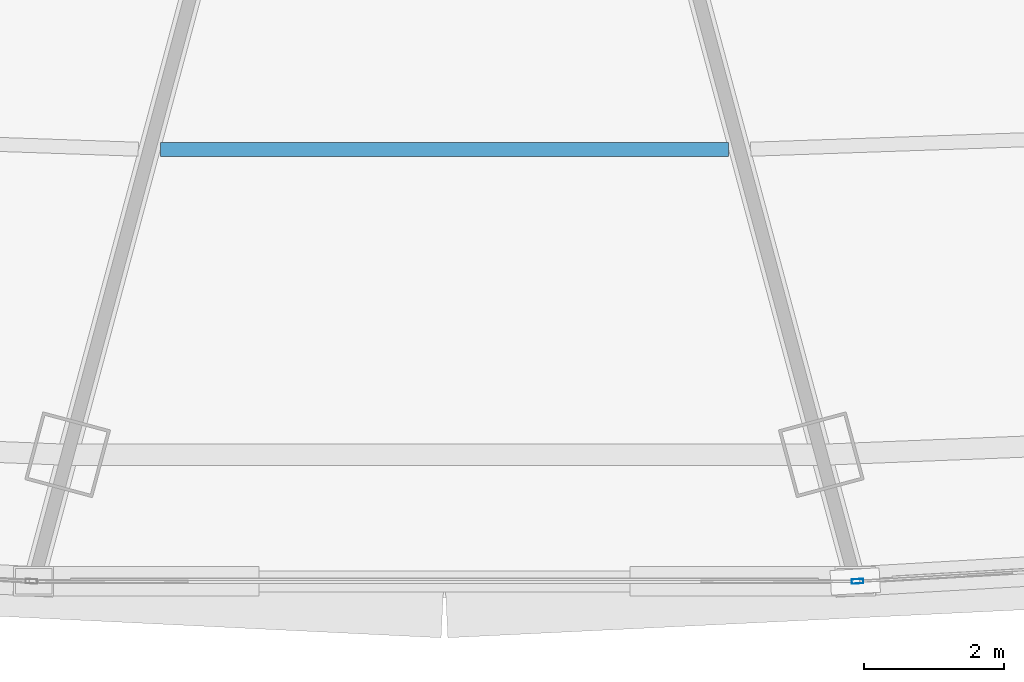
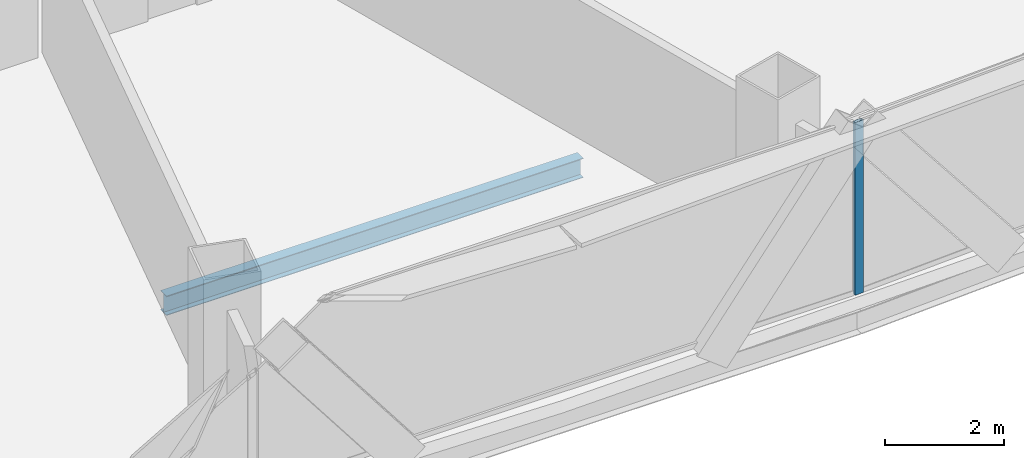
# One storey, part 10 of 39: 1 beam, 1 member, 1 element without a shape of its own.
"""IFC4 building model written with IfcOpenShell, lengths in metres."""

from ifc_helpers import new_model, si_unit, direction, frame, origin, origin_2d, place, context, subcontext, project, spatial, hollow_rectangle, i_section, extrude, source, transform, mapped, material, layer, layer_set, material_profile, profile_set, type_object, element, aggregate, save


model = new_model("IFC4")

# Units and contexts
model_context = context("Model", 3, precision=1e-05, world=origin(), true_north=direction((0.0, 1.0)))
body_context = subcontext(model_context, "Body", "Model", "MODEL_VIEW")
ifc_project = project(units=[si_unit("LENGTHUNIT", "METRE"), si_unit("AREAUNIT", "SQUARE_METRE"), si_unit("VOLUMEUNIT", "CUBIC_METRE"), si_unit("PLANEANGLEUNIT", "RADIAN"), si_unit("MASSUNIT", "GRAM", prefix="KILO"), si_unit("THERMODYNAMICTEMPERATUREUNIT", "KELVIN"), si_unit("POWERUNIT", "WATT")], contexts=[model_context])

# Site, building, storey
site_placement = place(None, origin())
site = spatial("IfcSite", under=ifc_project, at=site_placement, CompositionType="ELEMENT")
building_placement = place(site_placement, origin())
building = spatial("IfcBuilding", under=site, at=building_placement, Name="Yunzhuo Pagoda Commons", CompositionType="ELEMENT")
storey_placement = place(building_placement, frame((0.0, 0.0, 92.580078125)))
storey = spatial("IfcBuildingStorey", under=building, at=storey_placement, Name="L23", CompositionType="ELEMENT", Elevation=92.580078125)

# Beam
ifc_material_1 = material(Name="Structural steel Q355B", Category="steel")
ifc_material_profile_1 = material_profile(ifc_material_1, i_section(OverallWidth=0.199951171875, OverallDepth=0.39990234375, WebThickness=0.008056640625, FlangeThickness=0.012939453125, at=origin_2d()), Name="Structural steel Q355B")
ifc_profile_set_1 = profile_set([ifc_material_profile_1], Name="Structural steel Q355B")
beam_type = type_object("IfcBeamType", Name="B-JS1 Joist HN 400x200x8x13", PredefinedType="JOIST", material=ifc_profile_set_1)
shared_shape_1 = source(origin(), body_context, "Body", "SweptSolid", [
    extrude(i_section(OverallWidth=0.199951171875, OverallDepth=0.39990234375, WebThickness=0.008056640625, FlangeThickness=0.012939453125, at=origin_2d()), origin(), (0.0, 0.0, 1.0), 8.087890625),
])
beam_placement = place(storey_placement, frame((43.9560546875, 18.014404296875, -0.4599609375), z_axis=(1.0, 0.0, 0.0), x_axis=(0.0, 1.0, 0.0)))
element("IfcBeam", 1, at=beam_placement, inside=storey, type_object=beam_type, Name="L23 composite ring joist 2.2", PredefinedType="JOIST", context=body_context, shape_type="MappedRepresentation", body=[
    mapped(shared_shape_1, transform((0.0, 0.0, 0.0), scale=1.0)),
])

# Curtain wall, member
ifc_material_2 = material(Name="Anodized aluminium 6063-T6", Category="aluminium")
ifc_layer = layer(ifc_material_2, 0.1650390625)
ifc_layer_set = layer_set([ifc_layer], Name="Anodized aluminium 6063-T6")
curtain_wall_type = type_object("IfcCurtainWallType", Name="CW-LOW Low-Zone Ribbon Curtain Wall", PredefinedType="NOTDEFINED", material=ifc_layer_set)
curtain_wall_placement = place(storey_placement, origin())
curtain_wall = element("IfcCurtainWall", 2, at=curtain_wall_placement, inside=storey, type_object=curtain_wall_type, Name="L23 curtain wall CW-L23-F1B4", PredefinedType="NOTDEFINED")
ifc_material_profile_2 = material_profile(ifc_material_2, hollow_rectangle(XDim=0.06494140625, YDim=0.1650390625, WallThickness=0.00390625, at=origin_2d()), Name="Anodized aluminium 6063-T6")
ifc_profile_set_2 = profile_set([ifc_material_profile_2], Name="Anodized aluminium 6063-T6")
member_type = type_object("IfcMemberType", Name="CW-LOW-M Mullion RHS 165x65x4", PredefinedType="MULLION", material=ifc_profile_set_2)
shared_shape_2 = source(origin(), body_context, "Body", "SweptSolid", [
    extrude(hollow_rectangle(XDim=0.06494140625, YDim=0.1650390625, WallThickness=0.00390625, at=origin_2d()), origin(), (0.0, 0.0, 1.0), 3.5400390625),
])
member_placement = place(storey_placement, frame((53.88330078125, 11.865966796875, 0.0), z_axis=(0.0, 0.0, 1.0), x_axis=(-0.057299493103, 0.998357034377, 0.0)))
member = element("IfcMember", 3, at=member_placement, type_object=member_type, Name="CW mullion 1", PredefinedType="MULLION", context=body_context, shape_type="MappedRepresentation", body=[
    mapped(shared_shape_2, transform((0.0, 0.0, 0.0), scale=1.0)),
])
aggregate(curtain_wall, [member])

save(model, "model.ifc")
